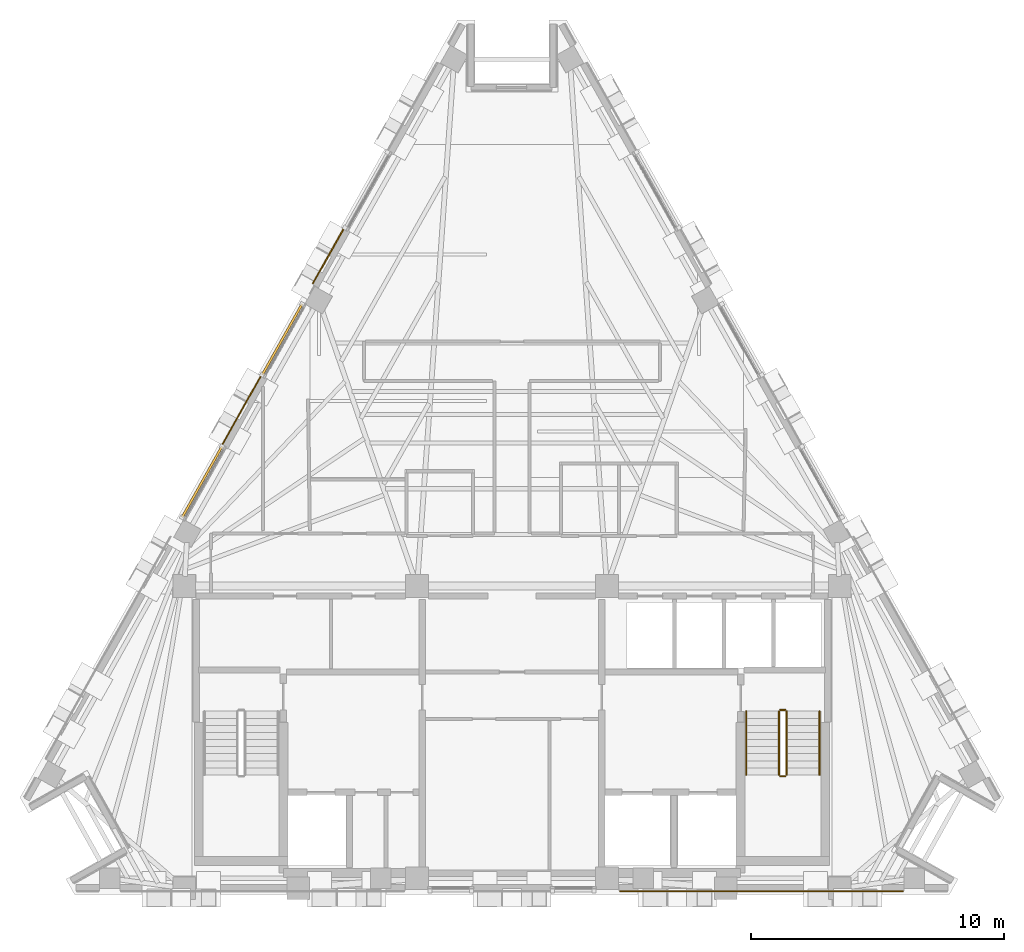
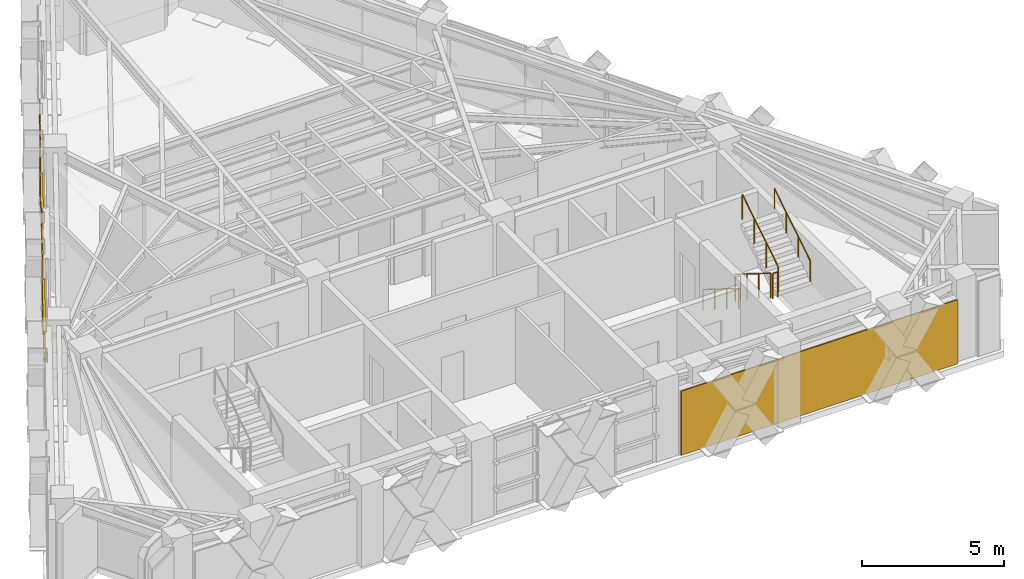
# One storey, part 10 of 11: 6 railings, 4 shading devices, 3 coverings.
"""IFC4 building model written with IfcOpenShell, lengths in metres."""

import ifcopenshell
import ifcopenshell.guid

model = None  # the IFC model being written
_history = None  # IfcOwnerHistory: only IFC2X3 demands one
_inside = {}  # id of a spatial element -> (the spatial element, [elements in it])
_under = {}  # id of a project, library or spatial element -> (it, [spatial elements below it])
_declared = {}  # id of a project -> (the project, [libraries it declares])
_typed = {}  # id of a type object -> (the type object, [elements of that type])
_made_of = {}  # id of a material, layer set ... -> (it, [elements and type objects made of it])


def new_model(schema):
    """Start an empty IFC model of exactly this schema.

    Asked for "IFC4X3", IfcOpenShell would pick the latest addendum, in which some entities
    have other attributes; the version numbers below select the first issue.
    IFC2X3 requires an IfcOwnerHistory on every rooted entity: one is made here for all.
    """
    global model, _history
    if schema == "IFC4X3":
        model = ifcopenshell.file(schema_version=(4, 3, 0, 0))
    else:
        model = ifcopenshell.file(schema=schema)
    _inside.clear()
    _under.clear()
    _declared.clear()
    _typed.clear()
    _made_of.clear()
    _history = None
    if model.schema == "IFC2X3":
        org = make("IfcOrganization", Name="unknown")
        user = make(
            "IfcPersonAndOrganization",
            ThePerson=make("IfcPerson", FamilyName="unknown"),
            TheOrganization=org,
        )
        app = make(
            "IfcApplication",
            ApplicationDeveloper=org,
            Version="unknown",
            ApplicationFullName="unknown",
            ApplicationIdentifier="unknown",
        )
        _history = make(
            "IfcOwnerHistory",
            OwningUser=user,
            OwningApplication=app,
            ChangeAction="ADDED",
            CreationDate=0,
        )
    return model


def make(cls, **values):
    """One entity of the class cls with the attributes given. An attribute that is None is left unset."""
    return model.create_entity(
        cls, **{name: value for name, value in values.items() if value is not None}
    )


def rooted(cls, **values):
    """An entity with a GlobalId (a new one), such as an element, a storey or a relation."""
    return make(cls, GlobalId=ifcopenshell.guid.new(), OwnerHistory=_history, **values)


def si_unit(unit_type, name, prefix=None):
    """IfcSIUnit, for example si_unit("LENGTHUNIT", "METRE", prefix="MILLI")."""
    return make("IfcSIUnit", UnitType=unit_type, Prefix=prefix, Name=name)


def assignment(units):
    """IfcUnitAssignment: the units of a project."""
    return None if units is None else make("IfcUnitAssignment", Units=units)


def point(xyz):
    """IfcCartesianPoint."""
    return None if xyz is None else make("IfcCartesianPoint", Coordinates=xyz)


def direction(xyz):
    """IfcDirection."""
    return None if xyz is None else make("IfcDirection", DirectionRatios=xyz)


def frame(location, z_axis=None, x_axis=None):
    """IfcAxis2Placement3D, a coordinate frame: its origin and axes. An axis left out is left unset."""
    return make(
        "IfcAxis2Placement3D",
        Location=point(location),
        Axis=direction(z_axis),
        RefDirection=direction(x_axis),
    )


def frame_2d(location, x_axis=None):
    """IfcAxis2Placement2D, a coordinate frame in the plane: its origin and x axis."""
    return make(
        "IfcAxis2Placement2D", Location=point(location), RefDirection=direction(x_axis)
    )


def origin():
    """The frame at (0, 0, 0) with its axes left unset."""
    return frame((0.0, 0.0, 0.0))


def origin_2d():
    """The frame at (0, 0) in the plane with its x axis left unset."""
    return frame_2d((0.0, 0.0))


def place(relative_to, where):
    """IfcLocalPlacement: puts the frame where relative to a parent placement (None: the world)."""
    return make(
        "IfcLocalPlacement", PlacementRelTo=relative_to, RelativePlacement=where
    )


def context(
    kind, dimensions, precision=None, world=None, true_north=None, identifier=None
):
    """IfcGeometricRepresentationContext, for example the 3D "Model" context."""
    return make(
        "IfcGeometricRepresentationContext",
        ContextIdentifier=identifier,
        ContextType=kind,
        CoordinateSpaceDimension=dimensions,
        Precision=precision,
        WorldCoordinateSystem=world,
        TrueNorth=true_north,
    )


def subcontext(parent, identifier, kind, view, scale=None):
    """IfcGeometricRepresentationSubContext, for example "Body" below "Model"."""
    return make(
        "IfcGeometricRepresentationSubContext",
        ContextIdentifier=identifier,
        ContextType=kind,
        ParentContext=parent,
        TargetScale=scale,
        TargetView=view,
    )


def project(units=None, contexts=None):
    """IfcProject with its units and contexts."""
    return rooted(
        "IfcProject",
        Name="project",
        RepresentationContexts=contexts,
        UnitsInContext=assignment(units),
    )


def spatial(cls, under=None, at=None, **own):
    """A site, building, storey or space (cls), placed at a placement, below another one or the project."""
    s = rooted(cls, ObjectPlacement=at, **own)
    if under is not None:
        _under.setdefault(under.id(), (under, []))[1].append(s)
    return s


def polyline(points):
    """IfcPolyline through the points."""
    return make("IfcPolyline", Points=[point(p) for p in points])


def profile(cls, at=None, kind="AREA", **sizes):
    """A parametric profile (cls). Its sizes go by their IFC names, for example OverallWidth=200.0."""
    return make(cls, ProfileType=kind, Position=at, **sizes)


def rectangle(**sizes):
    """IfcRectangleProfileDef."""
    return profile("IfcRectangleProfileDef", **sizes)


def circle(**sizes):
    """IfcCircleProfileDef."""
    return profile("IfcCircleProfileDef", **sizes)


def outline(outer, holes=None, kind="AREA"):
    """IfcArbitraryClosedProfileDef: a profile drawn as a closed curve; with holes, ...WithVoids."""
    if holes is None:
        return make("IfcArbitraryClosedProfileDef", ProfileType=kind, OuterCurve=outer)
    return make(
        "IfcArbitraryProfileDefWithVoids",
        ProfileType=kind,
        OuterCurve=outer,
        InnerCurves=holes,
    )


def extrude(swept, where, along, depth):
    """IfcExtrudedAreaSolid: the profile swept, set in the frame where, extruded along a direction by depth."""
    return make(
        "IfcExtrudedAreaSolid",
        SweptArea=swept,
        Position=where,
        ExtrudedDirection=direction(along),
        Depth=depth,
    )


def shape(context_of_items, identifier, shape_type, items):
    """IfcShapeRepresentation: the items that make up one representation, for example the "Body"."""
    return make(
        "IfcShapeRepresentation",
        ContextOfItems=context_of_items,
        RepresentationIdentifier=identifier,
        RepresentationType=shape_type,
        Items=items,
    )


def material(Name=None, Category=None):
    """IfcMaterial."""
    return make("IfcMaterial", Name=Name, Category=Category)


def layer(
    of_material, thickness, ventilated=None, Name=None, Category=None, Priority=None
):
    """IfcMaterialLayer: one layer of a wall or slab, of a material (None: an air gap)."""
    return make(
        "IfcMaterialLayer",
        Material=of_material,
        LayerThickness=thickness,
        IsVentilated=ventilated,
        Name=Name,
        Category=Category,
        Priority=Priority,
    )


def layer_set(layers, Name=None):
    """IfcMaterialLayerSet."""
    return make("IfcMaterialLayerSet", MaterialLayers=layers, LayerSetName=Name)


def material_profile(
    of_material, cross_section, Name=None, Category=None, Priority=None
):
    """IfcMaterialProfile: a cross section and its material."""
    return make(
        "IfcMaterialProfile",
        Name=Name,
        Material=of_material,
        Profile=cross_section,
        Priority=Priority,
        Category=Category,
    )


def profile_set(profiles, Name=None, composite=None):
    """IfcMaterialProfileSet."""
    return make(
        "IfcMaterialProfileSet",
        Name=Name,
        MaterialProfiles=profiles,
        CompositeProfile=composite,
    )


def made_of(thing, what):
    """Note that an element or type object is made of a material, layer set ...; save() writes the relation."""
    if what is not None:
        _made_of.setdefault(what.id(), (what, []))[1].append(thing)
    return thing


def type_object(cls, material=None, **own):
    """A type object (cls), such as IfcWallType, which elements share."""
    return made_of(rooted(cls, **own), material)


def element(
    cls,
    number,
    at=None,
    inside=None,
    cuts=None,
    type_object=None,
    material=None,
    context=None,
    identifier="Body",
    shape_type=None,
    held_by="IfcProductDefinitionShape",
    body=None,
    shapes=None,
    **own,
):
    """One element of the class cls, such as IfcWall. Its Tag is "e" and its number.

    at: its placement. inside: the storey or other place that contains it. cuts: it is an
    opening in that element (IfcRelVoidsElement). A single representation is given by context,
    identifier, shape_type and body (its items); several are given by shapes. held_by: the class
    of the entity that holds the representations. save() writes the other relations.
    """
    e = rooted(cls, Tag="e%d" % number, ObjectPlacement=at, **own)
    if body is not None:
        shapes = [shape(context, identifier, shape_type, body)]
    if shapes is not None:
        e.Representation = make(held_by, Representations=shapes)
    if inside is not None:
        _inside.setdefault(inside.id(), (inside, []))[1].append(e)
    if cuts is not None:
        rooted(
            "IfcRelVoidsElement", RelatingBuildingElement=cuts, RelatedOpeningElement=e
        )
    if type_object is not None:
        _typed.setdefault(type_object.id(), (type_object, []))[1].append(e)
    return made_of(e, material)


def aggregate(whole, parts):
    """IfcRelAggregates: a whole, such as a stair, and the parts it consists of."""
    return rooted("IfcRelAggregates", RelatingObject=whole, RelatedObjects=parts)


def save(model, path):
    """Write the relations noted so far, then the file.

    IfcRelAggregates (storeys below a building ...), IfcRelContainedInSpatialStructure (elements
    in a storey), IfcRelDefinesByType, IfcRelAssociatesMaterial and IfcRelDeclares: one each for
    every whole, place, type object, material and project.
    """
    for whole, parts in _under.values():
        aggregate(whole, parts)
    for where, things in _inside.values():
        rooted(
            "IfcRelContainedInSpatialStructure",
            RelatedElements=things,
            RelatingStructure=where,
        )
    for kind, things in _typed.values():
        rooted("IfcRelDefinesByType", RelatedObjects=things, RelatingType=kind)
    for what, things in _made_of.values():
        rooted("IfcRelAssociatesMaterial", RelatedObjects=things, RelatingMaterial=what)
    for by, libraries in _declared.values():
        rooted("IfcRelDeclares", RelatingContext=by, RelatedDefinitions=libraries)
    model.write(path)


model = new_model("IFC4")

# Units and contexts
model_context = context("Model", 3, precision=1e-05, world=origin(), true_north=direction((0.0, 1.0)))
body_context = subcontext(model_context, "Body", "Model", "MODEL_VIEW")
ifc_project = project(units=[si_unit("LENGTHUNIT", "METRE"), si_unit("AREAUNIT", "SQUARE_METRE"), si_unit("VOLUMEUNIT", "CUBIC_METRE"), si_unit("PLANEANGLEUNIT", "RADIAN"), si_unit("MASSUNIT", "GRAM", prefix="KILO")], contexts=[model_context])

# Site, building, storey
site_placement = place(None, origin())
site = spatial("IfcSite", under=ifc_project, at=site_placement, CompositionType="ELEMENT")
building_placement = place(site_placement, origin())
building = spatial("IfcBuilding", under=site, at=building_placement, Name="Quenlor Broadcast Tower", CompositionType="ELEMENT")
storey_placement = place(building_placement, frame((0.0, 0.0, 253.39990234375)))
storey = spatial("IfcBuildingStorey", under=building, at=storey_placement, Name="L70", CompositionType="ELEMENT", Elevation=253.39990234375)

# Shading devices
ifc_material_1 = material(Name="Architectural Terracotta Ceramic", Category="masonry")
ifc_material_profile = material_profile(ifc_material_1, rectangle(XDim=0.090087890625, YDim=0.139892578125, at=origin_2d()))
ifc_profile_set = profile_set([ifc_material_profile], Name="Architectural Terracotta Ceramic BAG90x140")
shading_device_type = type_object("IfcShadingDeviceType", Name="Copper Terracotta Baguette Solar Screen 140", PredefinedType="USERDEFINED", material=ifc_profile_set)
for number, where, z_axis, x_axis, name in (
    (1, (-13.033203125, -2.090576171875, 1.170166015625), (0.490203442487, 0.871608045496, 0.0), (-0.871608045496, 0.490203442487, 0.0), "L70 Terracotta Baguette Screen 1"),
    (2, (-13.033203125, -2.090576171875, 2.340087890625), (0.490203442487, 0.871608045496, 0.0), (-0.871608045496, 0.490203442487, 0.0), "L70 Terracotta Baguette Screen 2"),
    (3, (-9.8662109375, 3.539794921875, 1.170166015625), (0.490261239633, 0.871575537125, 0.0), (-0.871575537125, 0.490261239633, 0.0), "L70 Terracotta Baguette Screen 1"),
    (4, (-9.8662109375, 3.539794921875, 2.340087890625), (0.490261239633, 0.871575537125, 0.0), (-0.871575537125, 0.490261239633, 0.0), "L70 Terracotta Baguette Screen 2"),
):
    element("IfcShadingDevice", number, at=place(storey_placement, frame(where, z_axis=z_axis, x_axis=x_axis)), inside=storey, type_object=shading_device_type, Name=name, ObjectType="BAGUETTE", PredefinedType="USERDEFINED", context=body_context, shape_type="SweptSolid", body=[
        extrude(rectangle(XDim=0.090087890625, YDim=0.139892578125, at=origin_2d()), origin(), (0.0, 0.0, 1.0), 3.208984375),
    ])

# Coverings
ifc_material_2 = material(Name="Architectural Terracotta Ceramic", Category="masonry")
ifc_layer = layer(ifc_material_2, 0.044921875)
ifc_layer_set = layer_set([ifc_layer], Name="Fluted Terracotta Rainscreen Cladding Panel")
covering_type = type_object("IfcCoveringType", Name="Fluted Terracotta Rainscreen Cladding Panel", PredefinedType="CLADDING", material=ifc_layer_set)
covering_1_placement = place(storey_placement, frame((0.0, 0.0, 0.02001953125)))
element("IfcCovering", 5, at=covering_1_placement, inside=storey, type_object=covering_type, Name="L70 Terracotta Rainscreen Cladding L70-EW-SA", PredefinedType="CLADDING", context=body_context, shape_type="SweptSolid", body=[
    extrude(outline(polyline([(15.462646484375, -16.846923828125), (4.25, -16.846923828125), (4.25, -16.89208984375), (15.462646484375, -16.89208984375), (15.462646484375, -16.846923828125)])), origin(), (0.0, 0.0, 1.0), 2.749755859375),
])
covering_2_placement = place(storey_placement, frame((0.0, 0.0, 0.02001953125)))
element("IfcCovering", 6, at=covering_2_placement, inside=storey, type_object=covering_type, Name="L70 Terracotta Rainscreen Cladding L70-NWC-SP1", PredefinedType="CLADDING", context=body_context, shape_type="SweptSolid", body=[
    extrude(outline(polyline([(-7.8515625, 7.129638671875), (-6.630615234375, 9.300048828125), (-6.669921875, 9.322021484375), (-7.890625, 7.151611328125), (-7.8515625, 7.129638671875)])), origin(), (0.0, 0.0, 1.0), 3.2099609375),
])
covering_3_placement = place(storey_placement, frame((0.0, 0.0, 0.02001953125)))
element("IfcCovering", 7, at=covering_3_placement, inside=storey, type_object=covering_type, Name="L70 Terracotta Rainscreen Cladding L70-NW-SP1", PredefinedType="CLADDING", context=body_context, shape_type="SweptSolid", body=[
    extrude(outline(polyline([(-11.432861328125, 0.7626953125), (-9.900390625, 3.4873046875), (-9.939697265625, 3.50927734375), (-11.47216796875, 0.784912109375), (-11.432861328125, 0.7626953125)])), origin(), (0.0, 0.0, 1.0), 3.2099609375),
])

# Railings
ifc_material_3 = material(Name="Anodised Aluminium", Category="aluminium")
railing_type_1 = type_object("IfcRailingType", Name="Stainless Aluminium Wall Handrail 900", PredefinedType="HANDRAIL", material=ifc_material_3)
railing_1_placement = place(storey_placement, frame((9.25, -9.75, 0.175048828125)))
element("IfcRailing", 8, at=railing_1_placement, inside=storey, type_object=railing_type_1, Name="L70 ST-2 stair handrail 1", PredefinedType="HANDRAIL", context=body_context, shape_type="SweptSolid", body=[
    extrude(circle(Radius=0.02392578125, at=origin_2d()), frame((0.0, 0.0, 0.8759765625), z_axis=(0.0, -0.848007534815, 0.529984170421), x_axis=(1.0, 0.0, 0.0)), (0.0, 0.0, 1.0), 2.9716796875),
    extrude(circle(Radius=0.02099609375, at=origin_2d()), origin(), (0.0, 0.0, 1.0), 0.851806640625),
    extrude(circle(Radius=0.02099609375, at=origin_2d()), frame((0.0, -0.840087890625, 0.52490234375)), (0.0, 0.0, 1.0), 0.851806640625),
    extrude(circle(Radius=0.02099609375, at=origin_2d()), frame((0.0, -1.679931640625, 1.050048828125)), (0.0, 0.0, 1.0), 0.851806640625),
    extrude(circle(Radius=0.02099609375, at=origin_2d()), frame((0.0, -2.52001953125, 1.574951171875)), (0.0, 0.0, 1.0), 0.851806640625),
])
railing_2_placement = place(storey_placement, frame((12.14990234375, -12.27001953125, 1.925048828125)))
element("IfcRailing", 9, at=railing_2_placement, inside=storey, type_object=railing_type_1, Name="L70 ST-2 stair handrail 2", PredefinedType="HANDRAIL", context=body_context, shape_type="SweptSolid", body=[
    extrude(circle(Radius=0.02392578125, at=origin_2d()), frame((0.0, 0.0, 0.8759765625), z_axis=(0.0, 0.848007534815, 0.529984170421), x_axis=(-1.0, 0.0, 0.0)), (0.0, 0.0, 1.0), 2.9716796875),
    extrude(circle(Radius=0.02099609375, at=origin_2d()), origin(), (0.0, 0.0, 1.0), 0.851806640625),
    extrude(circle(Radius=0.02099609375, at=origin_2d()), frame((0.0, 0.840087890625, 0.52490234375)), (0.0, 0.0, 1.0), 0.851806640625),
    extrude(circle(Radius=0.02099609375, at=origin_2d()), frame((0.0, 1.679931640625, 1.050048828125)), (0.0, 0.0, 1.0), 0.851806640625),
    extrude(circle(Radius=0.02099609375, at=origin_2d()), frame((0.0, 2.52001953125, 1.574951171875)), (0.0, 0.0, 1.0), 0.851806640625),
])
ifc_material_4 = material(Name="Steel S355", Category="steel")
railing_type_2 = type_object("IfcRailingType", Name="Tubular Steel S355 Stair Guardrail 1100", PredefinedType="BALUSTRADE", material=ifc_material_4)
railing_3_placement = place(storey_placement, frame((10.550048828125, -9.75, 0.175048828125)))
element("IfcRailing", 10, at=railing_3_placement, inside=storey, type_object=railing_type_2, Name="L70 ST-2 stair guard 1", PredefinedType="BALUSTRADE", context=body_context, shape_type="SweptSolid", body=[
    extrude(circle(Radius=0.02392578125, at=origin_2d()), frame((0.0, 0.0, 1.076171875), z_axis=(0.0, -0.848007534815, 0.529984170421), x_axis=(1.0, 0.0, 0.0)), (0.0, 0.0, 1.0), 2.9716796875),
    extrude(circle(Radius=0.02099609375, at=origin_2d()), origin(), (0.0, 0.0, 1.0), 1.052001953125),
    extrude(circle(Radius=0.02099609375, at=origin_2d()), frame((0.0, -0.840087890625, 0.52490234375)), (0.0, 0.0, 1.0), 1.052001953125),
    extrude(circle(Radius=0.02099609375, at=origin_2d()), frame((0.0, -1.679931640625, 1.050048828125)), (0.0, 0.0, 1.0), 1.052001953125),
    extrude(circle(Radius=0.02099609375, at=origin_2d()), frame((0.0, -2.52001953125, 1.574951171875)), (0.0, 0.0, 1.0), 1.052001953125),
])
railing_4_placement = place(storey_placement, frame((10.60009765625, -12.320068359375, 1.75)))
element("IfcRailing", 11, at=railing_4_placement, inside=storey, type_object=railing_type_2, Name="L70 ST-2 stair guard 2", PredefinedType="BALUSTRADE", context=body_context, shape_type="SweptSolid", body=[
    extrude(circle(Radius=0.02392578125, at=origin_2d()), frame((0.0, 0.0, 1.076171875), z_axis=(1.0, 0.0, 0.0), x_axis=(0.0, 1.0, 0.0)), (0.0, 0.0, 1.0), 0.199951171875),
    extrude(circle(Radius=0.02099609375, at=origin_2d()), origin(), (0.0, 0.0, 1.0), 1.052001953125),
    extrude(circle(Radius=0.02099609375, at=origin_2d()), frame((0.199951171875, 0.0, 0.0)), (0.0, 0.0, 1.0), 1.052001953125),
])
railing_5_placement = place(storey_placement, frame((10.85009765625, -12.27001953125, 1.925048828125)))
element("IfcRailing", 12, at=railing_5_placement, inside=storey, type_object=railing_type_2, Name="L70 ST-2 stair guard 3", PredefinedType="BALUSTRADE", context=body_context, shape_type="SweptSolid", body=[
    extrude(circle(Radius=0.02392578125, at=origin_2d()), frame((0.0, 0.0, 1.076171875), z_axis=(0.0, 0.848007534815, 0.529984170421), x_axis=(-1.0, 0.0, 0.0)), (0.0, 0.0, 1.0), 2.9716796875),
    extrude(circle(Radius=0.02099609375, at=origin_2d()), origin(), (0.0, 0.0, 1.0), 1.052001953125),
    extrude(circle(Radius=0.02099609375, at=origin_2d()), frame((0.0, 0.840087890625, 0.52490234375)), (0.0, 0.0, 1.0), 1.052001953125),
    extrude(circle(Radius=0.02099609375, at=origin_2d()), frame((0.0, 1.679931640625, 1.050048828125)), (0.0, 0.0, 1.0), 1.052001953125),
    extrude(circle(Radius=0.02099609375, at=origin_2d()), frame((0.0, 2.52001953125, 1.574951171875)), (0.0, 0.0, 1.0), 1.052001953125),
])
railing_6_placement = place(storey_placement, frame((10.60009765625, -9.699951171875, 0.0)))
element("IfcRailing", 13, at=railing_6_placement, inside=storey, type_object=railing_type_2, Name="L70 ST-2 stair guard 4", PredefinedType="BALUSTRADE", context=body_context, shape_type="SweptSolid", body=[
    extrude(circle(Radius=0.02392578125, at=origin_2d()), frame((0.0, 0.0, 1.076171875), z_axis=(1.0, 0.0, 0.0), x_axis=(0.0, 1.0, 0.0)), (0.0, 0.0, 1.0), 0.199951171875),
    extrude(circle(Radius=0.02099609375, at=origin_2d()), origin(), (0.0, 0.0, 1.0), 1.052001953125),
    extrude(circle(Radius=0.02099609375, at=origin_2d()), frame((0.199951171875, 0.0, 0.0)), (0.0, 0.0, 1.0), 1.052001953125),
])

save(model, "model.ifc")
